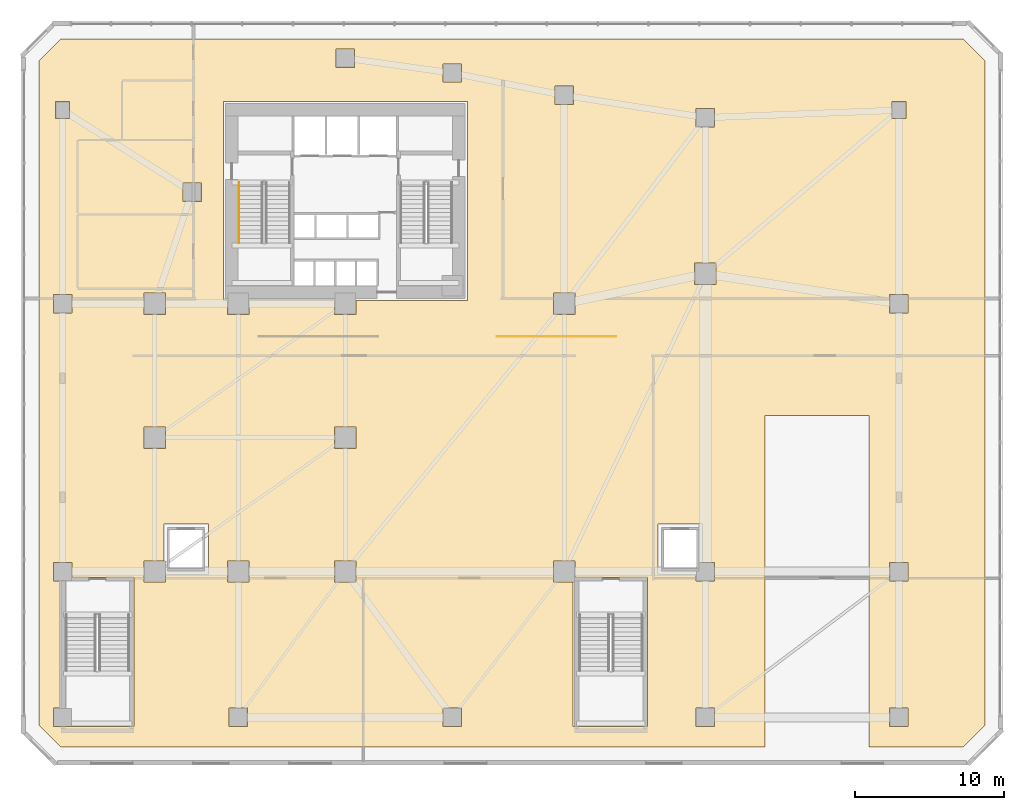
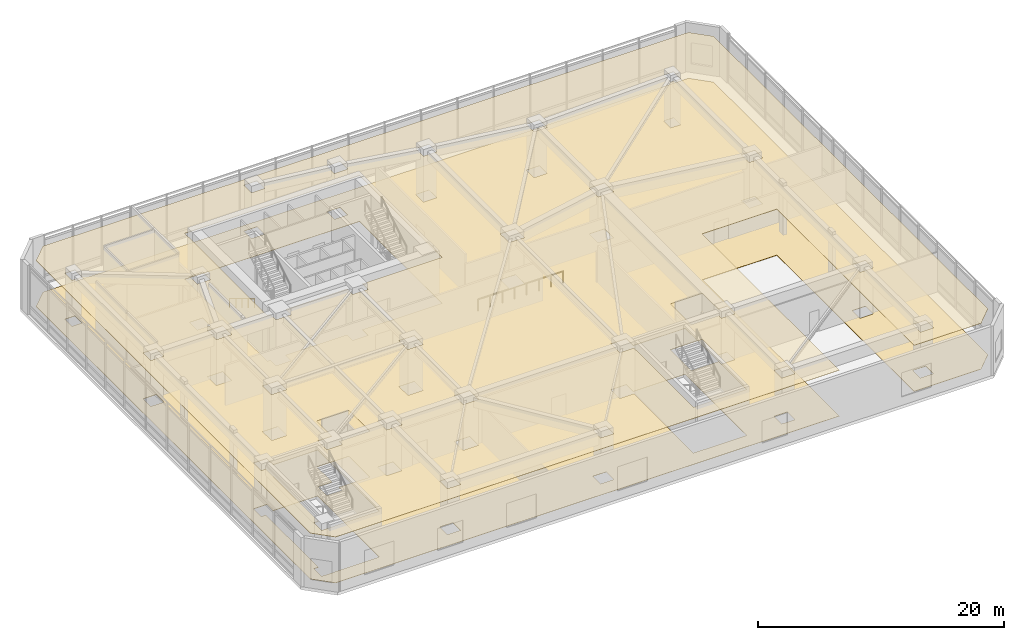
# One storey, part 15 of 16: 2 coverings, 2 railings.
"""IFC4 building model written with IfcOpenShell, lengths in metres."""

from ifc_helpers import new_model, si_unit, direction, frame, origin, origin_2d, place, context, subcontext, project, spatial, polyline, circle, outline, extrude, material, layer, layer_set, type_object, element, save


model = new_model("IFC4")

# Units and contexts
model_context = context("Model", 3, precision=1e-05, world=origin(), true_north=direction((0.0, 1.0)))
body_context = subcontext(model_context, "Body", "Model", "MODEL_VIEW")
ifc_project = project(units=[si_unit("LENGTHUNIT", "METRE"), si_unit("AREAUNIT", "SQUARE_METRE"), si_unit("VOLUMEUNIT", "CUBIC_METRE"), si_unit("PLANEANGLEUNIT", "RADIAN"), si_unit("MASSUNIT", "GRAM", prefix="KILO")], contexts=[model_context])

# Site, building, storey
site_placement = place(None, origin())
site = spatial("IfcSite", under=ifc_project, at=site_placement, CompositionType="ELEMENT")
building_placement = place(site_placement, origin())
building = spatial("IfcBuilding", under=site, at=building_placement, Name="Calvemar Wedge Station Tower", CompositionType="ELEMENT")
storey_placement = place(building_placement, frame((0.0, 0.0, 6.0)))
storey = spatial("IfcBuildingStorey", under=building, at=storey_placement, Name="L02", CompositionType="ELEMENT", Elevation=6.0)

# Coverings
ifc_material_1 = material(Name="Moisture-resistant gypsum ceiling")
ifc_layer_1 = layer(ifc_material_1, 0.0400390625)
ifc_layer_set_1 = layer_set([ifc_layer_1], Name="Moisture-resistant gypsum ceiling")
covering_type_1 = type_object("IfcCoveringType", Name="COV-CEIL-GYPSUM", PredefinedType="CEILING", material=ifc_layer_set_1)
covering_1_placement = place(storey_placement, frame((0.0, 0.0, 4.550048828125)))
element("IfcCovering", 1, at=covering_1_placement, inside=storey, type_object=covering_type_1, Name="Storey L02 Acoustic Suspended Ceiling", PredefinedType="CEILING", context=body_context, shape_type="SweptSolid", body=[
    extrude(outline(polyline([(65.302978515625, 50.800048828125), (4.697021484375, 50.800048828125), (3.199951171875, 49.302978515625), (3.199951171875, 4.697021484375), (4.697021484375, 3.199951171875), (52.0, 3.199951171875), (52.0, 25.5), (59.0, 25.5), (59.0, 3.199951171875), (65.302978515625, 3.199951171875), (66.800048828125, 4.697021484375), (66.800048828125, 49.302978515625), (65.302978515625, 50.800048828125)]), holes=[polyline([(15.60009765625, 46.60009765625), (32.0, 46.60009765625), (32.0, 33.199951171875), (24.52001953125, 33.199951171875), (24.52001953125, 32.280029296875), (23.080078125, 32.280029296875), (23.080078125, 33.199951171875), (17.320068359375, 33.199951171875), (17.320068359375, 32.280029296875), (15.8798828125, 32.280029296875), (15.8798828125, 33.199951171875), (15.60009765625, 33.199951171875), (15.60009765625, 46.60009765625)]), polyline([(4.60009765625, 14.3798828125), (4.179931640625, 14.3798828125), (4.179931640625, 15.6201171875), (5.419921875, 15.6201171875), (5.419921875, 14.60009765625), (9.60009765625, 14.60009765625), (9.60009765625, 4.60009765625), (5.419921875, 4.60009765625), (5.419921875, 4.580078125), (4.179931640625, 4.580078125), (4.179931640625, 5.820068359375), (4.60009765625, 5.820068359375), (4.60009765625, 14.3798828125)]), polyline([(39.219970703125, 14.60009765625), (44.10009765625, 14.60009765625), (44.10009765625, 4.60009765625), (39.10009765625, 4.60009765625), (39.10009765625, 14.280029296875), (37.780029296875, 14.280029296875), (37.780029296875, 15.719970703125), (39.219970703125, 15.719970703125), (39.219970703125, 14.60009765625)]), polyline([(11.719970703125, 14.280029296875), (10.280029296875, 14.280029296875), (10.280029296875, 15.719970703125), (11.60009765625, 15.719970703125), (11.60009765625, 18.199951171875), (14.60009765625, 18.199951171875), (14.60009765625, 14.800048828125), (11.719970703125, 14.800048828125), (11.719970703125, 14.280029296875)]), polyline([(44.800048828125, 14.800048828125), (44.800048828125, 18.199951171875), (47.800048828125, 18.199951171875), (47.800048828125, 15.6201171875), (48.6201171875, 15.6201171875), (48.6201171875, 14.3798828125), (47.3798828125, 14.3798828125), (47.3798828125, 14.800048828125), (44.800048828125, 14.800048828125)]), polyline([(15.97998046875, 5.820068359375), (17.219970703125, 5.820068359375), (17.219970703125, 4.580078125), (15.97998046875, 4.580078125), (15.97998046875, 5.820068359375)]), polyline([(31.6201171875, 5.820068359375), (31.6201171875, 4.580078125), (30.3798828125, 4.580078125), (30.3798828125, 5.820068359375), (31.6201171875, 5.820068359375)]), polyline([(48.6201171875, 4.580078125), (47.3798828125, 4.580078125), (47.3798828125, 5.820068359375), (48.6201171875, 5.820068359375), (48.6201171875, 4.580078125)]), polyline([(60.3798828125, 4.580078125), (60.3798828125, 5.820068359375), (61.6201171875, 5.820068359375), (61.6201171875, 4.580078125), (60.3798828125, 4.580078125)]), polyline([(17.320068359375, 14.280029296875), (15.8798828125, 14.280029296875), (15.8798828125, 15.719970703125), (17.320068359375, 15.719970703125), (17.320068359375, 14.280029296875)]), polyline([(23.080078125, 14.280029296875), (23.080078125, 15.719970703125), (24.52001953125, 15.719970703125), (24.52001953125, 14.280029296875), (23.080078125, 14.280029296875)]), polyline([(61.6201171875, 14.3798828125), (60.3798828125, 14.3798828125), (60.3798828125, 15.6201171875), (61.6201171875, 15.6201171875), (61.6201171875, 14.3798828125)]), polyline([(10.280029296875, 23.280029296875), (10.280029296875, 24.719970703125), (11.719970703125, 24.719970703125), (11.719970703125, 23.280029296875), (10.280029296875, 23.280029296875)]), polyline([(23.080078125, 24.719970703125), (24.52001953125, 24.719970703125), (24.52001953125, 23.280029296875), (23.080078125, 23.280029296875), (23.080078125, 24.719970703125)]), polyline([(5.419921875, 33.6201171875), (5.419921875, 32.3798828125), (4.179931640625, 32.3798828125), (4.179931640625, 33.6201171875), (5.419921875, 33.6201171875)]), polyline([(11.719970703125, 32.280029296875), (10.280029296875, 32.280029296875), (10.280029296875, 33.719970703125), (11.719970703125, 33.719970703125), (11.719970703125, 32.280029296875)]), polyline([(39.219970703125, 33.719970703125), (39.219970703125, 32.280029296875), (37.780029296875, 32.280029296875), (37.780029296875, 33.719970703125), (39.219970703125, 33.719970703125)]), polyline([(48.719970703125, 34.280029296875), (47.280029296875, 34.280029296875), (47.280029296875, 35.719970703125), (48.719970703125, 35.719970703125), (48.719970703125, 34.280029296875)]), polyline([(60.3798828125, 32.3798828125), (60.3798828125, 33.6201171875), (61.6201171875, 33.6201171875), (61.6201171875, 32.3798828125), (60.3798828125, 32.3798828125)]), polyline([(4.330078125, 46.570068359375), (5.27001953125, 46.570068359375), (5.27001953125, 45.429931640625), (4.330078125, 45.429931640625), (4.330078125, 46.570068359375)]), polyline([(14.1201171875, 41.1201171875), (14.1201171875, 39.8798828125), (12.8798828125, 39.8798828125), (12.8798828125, 41.1201171875), (14.1201171875, 41.1201171875)]), polyline([(24.419921875, 48.8798828125), (23.179931640625, 48.8798828125), (23.179931640625, 50.1201171875), (24.419921875, 50.1201171875), (24.419921875, 48.8798828125)]), polyline([(30.3798828125, 47.8798828125), (30.3798828125, 49.1201171875), (31.6201171875, 49.1201171875), (31.6201171875, 47.8798828125), (30.3798828125, 47.8798828125)]), polyline([(37.8798828125, 47.6201171875), (39.1201171875, 47.6201171875), (39.1201171875, 46.3798828125), (37.8798828125, 46.3798828125), (37.8798828125, 47.6201171875)]), polyline([(48.6201171875, 46.1201171875), (48.6201171875, 44.8798828125), (47.3798828125, 44.8798828125), (47.3798828125, 46.1201171875), (48.6201171875, 46.1201171875)]), polyline([(61.469970703125, 45.429931640625), (60.530029296875, 45.429931640625), (60.530029296875, 46.570068359375), (61.469970703125, 46.570068359375), (61.469970703125, 45.429931640625)])]), origin(), (0.0, 0.0, 1.0), 0.0400390625),
])
ifc_material_2 = material(Name="Commercial raised access floor")
ifc_layer_2 = layer(ifc_material_2, 0.030029296875)
ifc_layer_set_2 = layer_set([ifc_layer_2], Name="Commercial raised access floor")
covering_type_2 = type_object("IfcCoveringType", Name="COV-FLR-RAISED", PredefinedType="FLOORING", material=ifc_layer_set_2)
covering_2_placement = place(storey_placement, origin())
element("IfcCovering", 2, at=covering_2_placement, inside=storey, type_object=covering_type_2, Name="Storey L02 Architectural Floor Finish", PredefinedType="FLOORING", context=body_context, shape_type="SweptSolid", body=[
    extrude(outline(polyline([(65.302978515625, 50.800048828125), (4.697021484375, 50.800048828125), (3.199951171875, 49.302978515625), (3.199951171875, 4.697021484375), (4.697021484375, 3.199951171875), (52.0, 3.199951171875), (52.0, 25.5), (59.0, 25.5), (59.0, 3.199951171875), (65.302978515625, 3.199951171875), (66.800048828125, 4.697021484375), (66.800048828125, 49.302978515625), (65.302978515625, 50.800048828125)]), holes=[polyline([(15.60009765625, 46.60009765625), (32.0, 46.60009765625), (32.0, 33.199951171875), (24.52001953125, 33.199951171875), (24.52001953125, 32.280029296875), (23.080078125, 32.280029296875), (23.080078125, 33.199951171875), (17.320068359375, 33.199951171875), (17.320068359375, 32.280029296875), (15.8798828125, 32.280029296875), (15.8798828125, 33.199951171875), (15.60009765625, 33.199951171875), (15.60009765625, 46.60009765625)]), polyline([(4.60009765625, 14.3798828125), (4.179931640625, 14.3798828125), (4.179931640625, 15.6201171875), (5.419921875, 15.6201171875), (5.419921875, 14.60009765625), (9.60009765625, 14.60009765625), (9.60009765625, 4.60009765625), (5.419921875, 4.60009765625), (5.419921875, 4.580078125), (4.179931640625, 4.580078125), (4.179931640625, 5.820068359375), (4.60009765625, 5.820068359375), (4.60009765625, 14.3798828125)]), polyline([(39.219970703125, 14.60009765625), (44.10009765625, 14.60009765625), (44.10009765625, 4.60009765625), (39.10009765625, 4.60009765625), (39.10009765625, 14.280029296875), (37.780029296875, 14.280029296875), (37.780029296875, 15.719970703125), (39.219970703125, 15.719970703125), (39.219970703125, 14.60009765625)]), polyline([(11.719970703125, 14.280029296875), (10.280029296875, 14.280029296875), (10.280029296875, 15.719970703125), (11.60009765625, 15.719970703125), (11.60009765625, 18.199951171875), (14.60009765625, 18.199951171875), (14.60009765625, 14.800048828125), (11.719970703125, 14.800048828125), (11.719970703125, 14.280029296875)]), polyline([(44.800048828125, 14.800048828125), (44.800048828125, 18.199951171875), (47.800048828125, 18.199951171875), (47.800048828125, 15.6201171875), (48.6201171875, 15.6201171875), (48.6201171875, 14.3798828125), (47.3798828125, 14.3798828125), (47.3798828125, 14.800048828125), (44.800048828125, 14.800048828125)]), polyline([(15.97998046875, 5.820068359375), (17.219970703125, 5.820068359375), (17.219970703125, 4.580078125), (15.97998046875, 4.580078125), (15.97998046875, 5.820068359375)]), polyline([(31.6201171875, 5.820068359375), (31.6201171875, 4.580078125), (30.3798828125, 4.580078125), (30.3798828125, 5.820068359375), (31.6201171875, 5.820068359375)]), polyline([(48.6201171875, 4.580078125), (47.3798828125, 4.580078125), (47.3798828125, 5.820068359375), (48.6201171875, 5.820068359375), (48.6201171875, 4.580078125)]), polyline([(60.3798828125, 4.580078125), (60.3798828125, 5.820068359375), (61.6201171875, 5.820068359375), (61.6201171875, 4.580078125), (60.3798828125, 4.580078125)]), polyline([(17.320068359375, 14.280029296875), (15.8798828125, 14.280029296875), (15.8798828125, 15.719970703125), (17.320068359375, 15.719970703125), (17.320068359375, 14.280029296875)]), polyline([(23.080078125, 14.280029296875), (23.080078125, 15.719970703125), (24.52001953125, 15.719970703125), (24.52001953125, 14.280029296875), (23.080078125, 14.280029296875)]), polyline([(61.6201171875, 14.3798828125), (60.3798828125, 14.3798828125), (60.3798828125, 15.6201171875), (61.6201171875, 15.6201171875), (61.6201171875, 14.3798828125)]), polyline([(10.280029296875, 23.280029296875), (10.280029296875, 24.719970703125), (11.719970703125, 24.719970703125), (11.719970703125, 23.280029296875), (10.280029296875, 23.280029296875)]), polyline([(23.080078125, 24.719970703125), (24.52001953125, 24.719970703125), (24.52001953125, 23.280029296875), (23.080078125, 23.280029296875), (23.080078125, 24.719970703125)]), polyline([(5.419921875, 33.6201171875), (5.419921875, 32.3798828125), (4.179931640625, 32.3798828125), (4.179931640625, 33.6201171875), (5.419921875, 33.6201171875)]), polyline([(11.719970703125, 32.280029296875), (10.280029296875, 32.280029296875), (10.280029296875, 33.719970703125), (11.719970703125, 33.719970703125), (11.719970703125, 32.280029296875)]), polyline([(39.219970703125, 33.719970703125), (39.219970703125, 32.280029296875), (37.780029296875, 32.280029296875), (37.780029296875, 33.719970703125), (39.219970703125, 33.719970703125)]), polyline([(48.719970703125, 34.280029296875), (47.280029296875, 34.280029296875), (47.280029296875, 35.719970703125), (48.719970703125, 35.719970703125), (48.719970703125, 34.280029296875)]), polyline([(60.3798828125, 32.3798828125), (60.3798828125, 33.6201171875), (61.6201171875, 33.6201171875), (61.6201171875, 32.3798828125), (60.3798828125, 32.3798828125)]), polyline([(4.330078125, 46.570068359375), (5.27001953125, 46.570068359375), (5.27001953125, 45.429931640625), (4.330078125, 45.429931640625), (4.330078125, 46.570068359375)]), polyline([(14.1201171875, 41.1201171875), (14.1201171875, 39.8798828125), (12.8798828125, 39.8798828125), (12.8798828125, 41.1201171875), (14.1201171875, 41.1201171875)]), polyline([(24.419921875, 48.8798828125), (23.179931640625, 48.8798828125), (23.179931640625, 50.1201171875), (24.419921875, 50.1201171875), (24.419921875, 48.8798828125)]), polyline([(30.3798828125, 47.8798828125), (30.3798828125, 49.1201171875), (31.6201171875, 49.1201171875), (31.6201171875, 47.8798828125), (30.3798828125, 47.8798828125)]), polyline([(37.8798828125, 47.6201171875), (39.1201171875, 47.6201171875), (39.1201171875, 46.3798828125), (37.8798828125, 46.3798828125), (37.8798828125, 47.6201171875)]), polyline([(48.6201171875, 46.1201171875), (48.6201171875, 44.8798828125), (47.3798828125, 44.8798828125), (47.3798828125, 46.1201171875), (48.6201171875, 46.1201171875)]), polyline([(61.469970703125, 45.429931640625), (60.530029296875, 45.429931640625), (60.530029296875, 46.570068359375), (61.469970703125, 46.570068359375), (61.469970703125, 45.429931640625)])]), origin(), (0.0, 0.0, 1.0), 0.030029296875),
])

# Railings
ifc_material_3 = material(Name="Anodised aluminium 6063-T6", Category="aluminium")
railing_type_1 = type_object("IfcRailingType", Name="RL-BALUSTRADE-1200", PredefinedType="BALUSTRADE", material=ifc_material_3)
railing_1_placement = place(storey_placement, frame((34.0, 30.800048828125, 0.0)))
element("IfcRailing", 3, at=railing_1_placement, inside=storey, type_object=railing_type_1, Name="Storey L02 Glazed Feature Balustrade 4", PredefinedType="BALUSTRADE", context=body_context, shape_type="SweptSolid", body=[
    extrude(circle(Radius=0.02392578125, at=origin_2d()), frame((0.0, 0.0, 1.17578125), z_axis=(1.0, 0.0, 0.0), x_axis=(0.0, 1.0, 0.0)), (0.0, 0.0, 1.0), 8.0),
    extrude(circle(Radius=0.02099609375, at=origin_2d()), origin(), (0.0, 0.0, 1.0), 1.15185546875),
    extrude(circle(Radius=0.02099609375, at=origin_2d()), frame((1.142822265625, 0.0, 0.0)), (0.0, 0.0, 1.0), 1.15185546875),
    extrude(circle(Radius=0.02099609375, at=origin_2d()), frame((2.28564453125, 0.0, 0.0)), (0.0, 0.0, 1.0), 1.15185546875),
    extrude(circle(Radius=0.02099609375, at=origin_2d()), frame((3.428466796875, 0.0, 0.0)), (0.0, 0.0, 1.0), 1.15185546875),
    extrude(circle(Radius=0.02099609375, at=origin_2d()), frame((4.571533203125, 0.0, 0.0)), (0.0, 0.0, 1.0), 1.15185546875),
    extrude(circle(Radius=0.02099609375, at=origin_2d()), frame((5.71435546875, 0.0, 0.0)), (0.0, 0.0, 1.0), 1.15185546875),
    extrude(circle(Radius=0.02099609375, at=origin_2d()), frame((6.857177734375, 0.0, 0.0)), (0.0, 0.0, 1.0), 1.15185546875),
    extrude(circle(Radius=0.02099609375, at=origin_2d()), frame((8.0, 0.0, 0.0)), (0.0, 0.0, 1.0), 1.15185546875),
])
ifc_material_4 = material(Name="Stainless steel AISI 316L", Category="steel")
railing_type_2 = type_object("IfcRailingType", Name="RL-HANDRAIL-920", PredefinedType="HANDRAIL", material=ifc_material_4)
railing_2_placement = place(storey_placement, frame((16.64990234375, 41.14990234375, 0.17333984375)))
element("IfcRailing", 4, at=railing_2_placement, inside=storey, type_object=railing_type_2, Name="L02 ST-C1 stair handrail 1", PredefinedType="HANDRAIL", context=body_context, shape_type="SweptSolid", body=[
    extrude(circle(Radius=0.02392578125, at=origin_2d()), frame((0.0, 0.0, 0.89599609375), z_axis=(0.0, -0.858343435637, 0.513075575815), x_axis=(1.0, 0.0, 0.0)), (0.0, 0.0, 1.0), 4.729736328125),
    extrude(circle(Radius=0.02099609375, at=origin_2d()), origin(), (0.0, 0.0, 1.0), 0.871826171875),
    extrude(circle(Radius=0.02099609375, at=origin_2d()), frame((0.0, -1.014892578125, 0.606689453125)), (0.0, 0.0, 1.0), 0.871826171875),
    extrude(circle(Radius=0.02099609375, at=origin_2d()), frame((0.0, -2.02978515625, 1.21337890625)), (0.0, 0.0, 1.0), 0.871826171875),
    extrude(circle(Radius=0.02099609375, at=origin_2d()), frame((0.0, -3.044921875, 1.820068359375)), (0.0, 0.0, 1.0), 0.871826171875),
    extrude(circle(Radius=0.02099609375, at=origin_2d()), frame((0.0, -4.059814453125, 2.4267578125)), (0.0, 0.0, 1.0), 0.871826171875),
])

save(model, "model.ifc")
